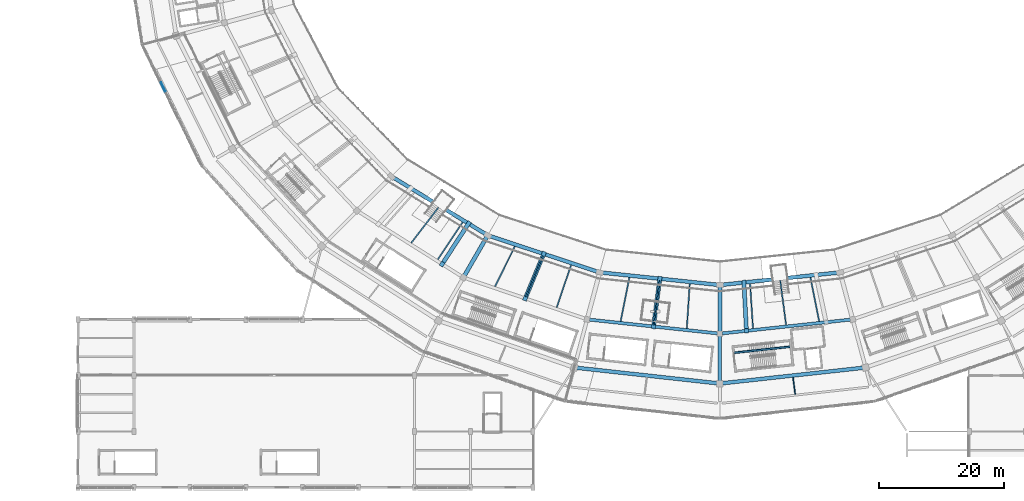
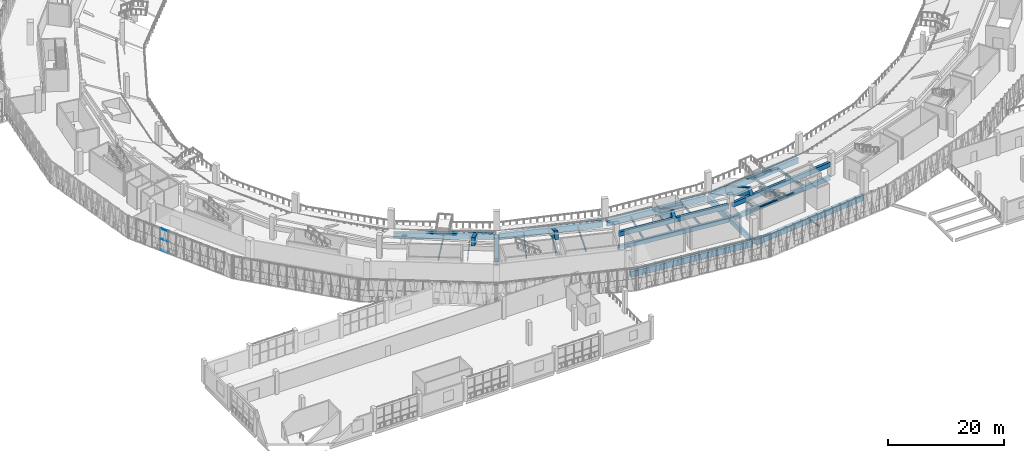
# One storey, part 17 of 152: 30 beams, 3 members, 1 element without a shape of its own.
"""IFC4 building model written with IfcOpenShell, lengths in metres."""

from ifc_helpers import new_model, si_unit, direction, frame, origin, origin_2d, place, context, subcontext, project, spatial, rectangle, i_section, extrude, material, material_profile, profile_set, type_object, element, aggregate, save


model = new_model("IFC4")

# Units and contexts
model_context = context("Model", 3, precision=1e-05, world=origin(), true_north=direction((0.0, 1.0)))
body_context = subcontext(model_context, "Body", "Model", "MODEL_VIEW")
ifc_project = project(units=[si_unit("LENGTHUNIT", "METRE"), si_unit("AREAUNIT", "SQUARE_METRE"), si_unit("VOLUMEUNIT", "CUBIC_METRE"), si_unit("PLANEANGLEUNIT", "RADIAN"), si_unit("MASSUNIT", "GRAM", prefix="KILO")], contexts=[model_context])

# Site, building, storey
site_placement = place(None, origin())
site = spatial("IfcSite", under=ifc_project, at=site_placement, CompositionType="ELEMENT")
building_placement = place(site_placement, origin())
building = spatial("IfcBuilding", under=site, at=building_placement, Name="Zevraka Park Crest Stadium", CompositionType="ELEMENT")
storey_placement = place(building_placement, frame((0.0, 0.0, 15.0)))
storey = spatial("IfcBuildingStorey", under=building, at=storey_placement, Name="L03", CompositionType="ELEMENT", Elevation=15.0)

# Beams
ifc_material_1 = material(Name="Concrete C40/50", Category="concrete")
ifc_material_profile_1 = material_profile(ifc_material_1, rectangle(XDim=0.64990234375, YDim=1.35009765625, at=origin_2d()), Name="RC 1350x650")
ifc_profile_set_1 = profile_set([ifc_material_profile_1], Name="Concrete C40/50")
beam_type_1 = type_object("IfcBeamType", Name="BG01", PredefinedType="BEAM", material=ifc_profile_set_1)
beam_1_placement = place(storey_placement, frame((74.60009765625, 40.2109375, -0.68505859375), z_axis=(-0.500041424909, -0.866001485781, 0.0), x_axis=(0.866001485781, -0.500041424909, 0.0)))
element("IfcBeam", 1, at=beam_1_placement, inside=storey, type_object=beam_type_1, Name="Radial Girder BG01 L03-BC-16", PredefinedType="BEAM", context=body_context, shape_type="SweptSolid", body=[
    extrude(rectangle(XDim=0.64990234375, YDim=1.35009765625, at=origin_2d()), origin(), (0.0, 0.0, 1.0), 7.19970703125),
])
beam_2_placement = place(storey_placement, frame((112.0, 32.199951171875, -0.68505859375), z_axis=(0.0, -1.0, 0.0), x_axis=(1.0, 0.0, 0.0)))
element("IfcBeam", 2, at=beam_2_placement, inside=storey, type_object=beam_type_1, Name="Radial Girder BG01 L03-BC-18", PredefinedType="BEAM", context=body_context, shape_type="SweptSolid", body=[
    extrude(rectangle(XDim=0.64990234375, YDim=1.35009765625, at=origin_2d()), origin(), (0.0, 0.0, 1.0), 7.199951171875),
])
ifc_material_2 = material(Name="Concrete C40/50", Category="concrete")
ifc_material_profile_2 = material_profile(ifc_material_2, rectangle(XDim=0.550048828125, YDim=1.10009765625, at=origin_2d()), Name="RC 1100x550")
ifc_profile_set_2 = profile_set([ifc_material_profile_2], Name="Concrete C40/50")
beam_type_2 = type_object("IfcBeamType", Name="BG02", PredefinedType="BEAM", material=ifc_profile_set_2)
beam_3_placement = place(storey_placement, frame((112.0, 24.39990234375, -0.56005859375), z_axis=(0.0, -1.0, 0.0), x_axis=(1.0, 0.0, 0.0)))
element("IfcBeam", 3, at=beam_3_placement, inside=storey, type_object=beam_type_2, Name="Radial Girder BG02 L03-CD-18", PredefinedType="BEAM", context=body_context, shape_type="SweptSolid", body=[
    extrude(rectangle(XDim=0.550048828125, YDim=1.10009765625, at=origin_2d()), origin(), (0.0, 0.0, 1.0), 7.39990234375),
])

# Curtain wall, members
ifc_material_3 = material(Name="Anodised architectural aluminium and laminated safety glass", Category="aluminium")
curtain_wall_type = type_object("IfcCurtainWallType", Name="CW12", PredefinedType="NOTDEFINED", material=ifc_material_3)
curtain_wall_placement = place(storey_placement, origin())
curtain_wall = element("IfcCurtainWall", 4, at=curtain_wall_placement, inside=storey, type_object=curtain_wall_type, Name="Unitised Ring Curtain Wall CW12 L03-13", PredefinedType="NOTDEFINED")
ifc_material_4 = material(Name="Anodised architectural aluminium", Category="aluminium")
ifc_material_profile_3 = material_profile(ifc_material_4, rectangle(XDim=0.14990234375, YDim=0.070068359375, at=origin_2d()), Name="ALU TRANSOM 150x70")
ifc_profile_set_3 = profile_set([ifc_material_profile_3], Name="Anodised architectural aluminium")
member_type = type_object("IfcMemberType", Name="CT03", PredefinedType="USERDEFINED", material=ifc_profile_set_3)
member_1_placement = place(storey_placement, frame((22.333251953125, 64.980712890625, 0.034912109375), z_axis=(0.440722911723, -0.897643200321, 0.0), x_axis=(0.897643200321, 0.440722911723, 0.0)))
member_1 = element("IfcMember", 5, at=member_1_placement, type_object=member_type, Name="CW12 transom 5.1", ObjectType="TRANSOM", PredefinedType="USERDEFINED", context=body_context, shape_type="SweptSolid", body=[
    extrude(rectangle(XDim=0.14990234375, YDim=0.070068359375, at=origin_2d()), origin(), (0.0, 0.0, 1.0), 1.582763671875),
])
member_2_placement = place(storey_placement, frame((22.333251953125, 64.980712890625, 2.39990234375), z_axis=(0.440722911723, -0.897643200321, 0.0), x_axis=(0.897643200321, 0.440722911723, 0.0)))
member_2 = element("IfcMember", 6, at=member_2_placement, type_object=member_type, Name="CW12 transom 5.2", ObjectType="TRANSOM", PredefinedType="USERDEFINED", context=body_context, shape_type="SweptSolid", body=[
    extrude(rectangle(XDim=0.14990234375, YDim=0.070068359375, at=origin_2d()), origin(), (0.0, 0.0, 1.0), 1.582763671875),
])
member_3_placement = place(storey_placement, frame((22.333251953125, 64.980712890625, 4.5048828125), z_axis=(0.440722911723, -0.897643200321, 0.0), x_axis=(0.897643200321, 0.440722911723, 0.0)))
member_3 = element("IfcMember", 7, at=member_3_placement, type_object=member_type, Name="CW12 transom 5.3", ObjectType="TRANSOM", PredefinedType="USERDEFINED", context=body_context, shape_type="SweptSolid", body=[
    extrude(rectangle(XDim=0.14990234375, YDim=0.070068359375, at=origin_2d()), origin(), (0.0, 0.0, 1.0), 1.582763671875),
])
aggregate(curtain_wall, [member_1, member_2, member_3])

# Beams
ifc_material_5 = material(Name="Concrete C40/50", Category="concrete")
ifc_material_profile_4 = material_profile(ifc_material_5, rectangle(XDim=0.60009765625, YDim=1.199951171875, at=origin_2d()), Name="RC 1200x600")
ifc_profile_set_4 = profile_set([ifc_material_profile_4], Name="Concrete C40/50")
beam_type_3 = type_object("IfcBeamType", Name="RB01", PredefinedType="BEAM", material=ifc_profile_set_4)
beam_4_placement = place(storey_placement, frame((59.64501953125, 49.72802734375, -0.610107421875), z_axis=(0.852632623571, -0.522510869956, 0.0), x_axis=(0.522510869956, 0.852632623571, 0.0)))
element("IfcBeam", 8, at=beam_4_placement, inside=storey, type_object=beam_type_3, Name="Ring Beam RB01 L03-B-15", PredefinedType="BEAM", context=body_context, shape_type="SweptSolid", body=[
    extrude(rectangle(XDim=0.60009765625, YDim=1.199951171875, at=origin_2d()), origin(), (0.0, 0.0, 1.0), 17.335693359375),
])
beam_5_placement = place(storey_placement, frame((75.111083984375, 40.35205078125, -0.610107421875), z_axis=(0.949383863235, -0.314118258349, 0.0), x_axis=(0.314118258349, 0.949383863235, 0.0)))
element("IfcBeam", 9, at=beam_5_placement, inside=storey, type_object=beam_type_3, Name="Ring Beam RB01 L03-B-16", PredefinedType="BEAM", context=body_context, shape_type="SweptSolid", body=[
    extrude(rectangle(XDim=0.60009765625, YDim=1.199951171875, at=origin_2d()), origin(), (0.0, 0.0, 1.0), 18.165283203125),
])
beam_6_placement = place(storey_placement, frame((93.095947265625, 34.487060546875, -0.610107421875), z_axis=(0.994522746434, -0.1045203656, 0.0), x_axis=(0.1045203656, 0.994522746434, 0.0)))
element("IfcBeam", 10, at=beam_6_placement, inside=storey, type_object=beam_type_3, Name="Ring Beam RB01 L03-B-17", PredefinedType="BEAM", context=body_context, shape_type="SweptSolid", body=[
    extrude(rectangle(XDim=0.60009765625, YDim=1.199951171875, at=origin_2d()), origin(), (0.0, 0.0, 1.0), 18.628173828125),
])
beam_7_placement = place(storey_placement, frame((89.007080078125, 19.22509765625, -0.610107421875), z_axis=(0.994021150509, -0.109187693174, 0.0), x_axis=(0.109187693174, 0.994021150509, 0.0)))
element("IfcBeam", 11, at=beam_7_placement, inside=storey, type_object=beam_type_3, Name="Ring Beam RB01 L03-D-17", PredefinedType="BEAM", context=body_context, shape_type="SweptSolid", body=[
    extrude(rectangle(XDim=0.60009765625, YDim=1.199951171875, at=origin_2d()), origin(), (0.0, 0.0, 1.0), 22.7509765625),
])
beam_8_placement = place(storey_placement, frame((112.3779296875, 32.5400390625, -0.610107421875), z_axis=(0.994522746434, 0.1045203656, 0.0), x_axis=(-0.1045203656, 0.994522746434, 0.0)))
element("IfcBeam", 12, at=beam_8_placement, inside=storey, type_object=beam_type_3, Name="Ring Beam RB01 L03-B-18", PredefinedType="BEAM", context=body_context, shape_type="SweptSolid", body=[
    extrude(rectangle(XDim=0.60009765625, YDim=1.199951171875, at=origin_2d()), origin(), (0.0, 0.0, 1.0), 18.628173828125),
])
beam_9_placement = place(storey_placement, frame((112.3779296875, 16.740966796875, -0.610107421875), z_axis=(0.994021150509, 0.109187693174, 0.0), x_axis=(-0.109187693174, 0.994021150509, 0.0)))
element("IfcBeam", 13, at=beam_9_placement, inside=storey, type_object=beam_type_3, Name="Ring Beam RB01 L03-D-18", PredefinedType="BEAM", context=body_context, shape_type="SweptSolid", body=[
    extrude(rectangle(XDim=0.60009765625, YDim=1.199951171875, at=origin_2d()), origin(), (0.0, 0.0, 1.0), 22.7509765625),
])
ifc_material_6 = material(Name="Concrete C40/50", Category="concrete")
ifc_material_profile_5 = material_profile(ifc_material_6, rectangle(XDim=0.5, YDim=0.949951171875, at=origin_2d()), Name="RC 950x500")
ifc_profile_set_5 = profile_set([ifc_material_profile_5], Name="Concrete C40/50")
beam_type_4 = type_object("IfcBeamType", Name="RB02", PredefinedType="BEAM", material=ifc_profile_set_5)
for number, where, z_axis, x_axis, name in (
    (14, (91.076904296875, 26.951904296875, -0.485107421875), (0.994259477334, -0.106995755668, 0.0), (0.106995755668, 0.994259477334, 0.0), "Ring Beam RB02 L03-C-17"),
    (15, (112.3779296875, 24.740966796875, -0.485107421875), (0.994259477334, 0.106995755668, 0.0), (-0.106995755668, 0.994259477334, 0.0), "Ring Beam RB02 L03-C-18"),
    (16, (91.076904296875, 26.951904296875, 2.375), (0.994259477334, -0.106995755668, 0.0), (0.106995755668, 0.994259477334, 0.0), "Upper Tier Head Raker Ring Beam RB02 17"),
    (17, (112.3779296875, 24.740966796875, 2.375), (0.994259477334, 0.106995755668, 0.0), (-0.106995755668, 0.994259477334, 0.0), "Upper Tier Head Raker Ring Beam RB02 18"),
):
    element("IfcBeam", number, at=place(storey_placement, frame(where, z_axis=z_axis, x_axis=x_axis)), inside=storey, type_object=beam_type_4, Name=name, PredefinedType="BEAM", context=body_context, shape_type="SweptSolid", body=[
        extrude(rectangle(XDim=0.5, YDim=0.949951171875, at=origin_2d()), origin(), (0.0, 0.0, 1.0), 20.663818359375),
    ])
ifc_material_7 = material(Name="Concrete C40/50", Category="concrete")
ifc_material_profile_6 = material_profile(ifc_material_7, rectangle(XDim=0.64990234375, YDim=1.5, at=origin_2d()), Name="RC 1500x650")
ifc_profile_set_6 = profile_set([ifc_material_profile_6], Name="Concrete C40/50")
beam_type_5 = type_object("IfcBeamType", Name="RK02", PredefinedType="BEAM", material=ifc_profile_set_6)
beam_10_placement = place(storey_placement, frame((71.6640625, 42.362060546875, -0.800048828125), z_axis=(-0.474054343078, -0.7304295529, 0.491675856698), x_axis=(0.838823786585, -0.544403026314, 0.0)))
element("IfcBeam", 18, at=beam_10_placement, inside=storey, type_object=beam_type_5, Name="Upper Bowl Main Raker Girder RK02 15-2", PredefinedType="BEAM", context=body_context, shape_type="SweptSolid", body=[
    extrude(rectangle(XDim=0.64990234375, YDim=1.5, at=origin_2d()), origin(), (0.0, 0.0, 1.0), 8.908447265625),
])
for number, where, z_axis, x_axis, name in (
    (19, (83.73388671875, 37.4990234375, -0.800048828125), (-0.333025449443, -0.803886737331, 0.492808445105), (0.92386138518, -0.38272724096, 0.0), "Upper Bowl Main Raker Girder RK02 16"),
    (20, (102.35888671875, 33.513916015625, -0.800048828125), (-0.113496981582, -0.862708905498, 0.492799938663), (0.991456874002, -0.130434914779, 0.0), "Upper Bowl Main Raker Girder RK02 17"),
):
    element("IfcBeam", number, at=place(storey_placement, frame(where, z_axis=z_axis, x_axis=x_axis)), inside=storey, type_object=beam_type_5, Name=name, PredefinedType="BEAM", context=body_context, shape_type="SweptSolid", body=[
        extrude(rectangle(XDim=0.64990234375, YDim=1.5, at=origin_2d()), origin(), (0.0, 0.0, 1.0), 8.88818359375),
    ])
beam_11_placement = place(storey_placement, frame((115.85595703125, 32.905029296875, -0.800048828125), z_axis=(0.045358905016, -0.869575431017, 0.491712456123), x_axis=(0.998642326128, 0.05209130893, 0.0)))
element("IfcBeam", 21, at=beam_11_placement, inside=storey, type_object=beam_type_5, Name="Upper Bowl Main Raker Girder RK02 18-1", PredefinedType="BEAM", context=body_context, shape_type="SweptSolid", body=[
    extrude(rectangle(XDim=0.64990234375, YDim=1.5, at=origin_2d()), origin(), (0.0, 0.0, 1.0), 8.907958984375),
])
ifc_material_8 = material(Name="Steel S355", Category="steel")
ifc_material_profile_7 = material_profile(ifc_material_8, i_section(OverallWidth=0.14990234375, OverallDepth=0.300048828125, WebThickness=0.007080078125, FlangeThickness=0.0107421875, at=origin_2d()), Name="IPE 300")
ifc_profile_set_7 = profile_set([ifc_material_profile_7], Name="Steel S355")
beam_type_6 = type_object("IfcBeamType", Name="SJ01", PredefinedType="JOIST", material=ifc_profile_set_7)
beam_12_placement = place(storey_placement, frame((123.72412109375, 17.69091796875, -0.4580078125), z_axis=(0.13058389889, -0.991437262438, 0.0), x_axis=(0.991437262438, 0.13058389889, 0.0)))
element("IfcBeam", 22, at=beam_12_placement, inside=storey, type_object=beam_type_6, Name="Floor Joist SJ01 L03-DE-18-1", PredefinedType="JOIST", context=body_context, shape_type="SweptSolid", body=[
    extrude(i_section(OverallWidth=0.14990234375, OverallDepth=0.300048828125, WebThickness=0.007080078125, FlangeThickness=0.0107421875, at=origin_2d()), origin(), (0.0, 0.0, 1.0), 2.7333984375),
])
ifc_material_9 = material(Name="Steel S355", Category="steel")
ifc_material_profile_8 = material_profile(ifc_material_9, i_section(OverallWidth=0.199951171875, OverallDepth=0.5, WebThickness=0.01025390625, FlangeThickness=0.01611328125, at=origin_2d()), Name="IPE 500")
ifc_profile_set_8 = profile_set([ifc_material_profile_8], Name="Steel S355")
beam_type_7 = type_object("IfcBeamType", Name="SJ10", PredefinedType="JOIST", material=ifc_profile_set_8)
beam_13_placement = place(storey_placement, frame((66.843994140625, 44.948974609375, -0.55810546875), z_axis=(-0.608774451346, -0.793343347731, 0.0), x_axis=(0.793343347731, -0.608774451346, 0.0)))
element("IfcBeam", 23, at=beam_13_placement, inside=storey, type_object=beam_type_7, Name="Floor Joist SJ10 L03-BC-15-2", PredefinedType="JOIST", context=body_context, shape_type="SweptSolid", body=[
    extrude(i_section(OverallWidth=0.199951171875, OverallDepth=0.5, WebThickness=0.01025390625, FlangeThickness=0.01611328125, at=origin_2d()), origin(), (0.0, 0.0, 1.0), 7.17333984375),
])
beam_14_placement = place(storey_placement, frame((70.718017578125, 42.572998046875, -0.55810546875), z_axis=(-0.555366097338, -0.831605975164, 0.0), x_axis=(0.831605975164, -0.555366097338, 0.0)))
element("IfcBeam", 24, at=beam_14_placement, inside=storey, type_object=beam_type_7, Name="Floor Joist SJ10 L03-BC-15-3", PredefinedType="JOIST", context=body_context, shape_type="SweptSolid", body=[
    extrude(i_section(OverallWidth=0.199951171875, OverallDepth=0.5, WebThickness=0.01025390625, FlangeThickness=0.01611328125, at=origin_2d()), origin(), (0.0, 0.0, 1.0), 7.189697265625),
])
beam_15_placement = place(storey_placement, frame((79.10302734375, 38.702880859375, -0.55810546875), z_axis=(-0.442549118131, -0.896744265686, 0.0), x_axis=(0.896744265686, -0.442549118131, 0.0)))
element("IfcBeam", 25, at=beam_15_placement, inside=storey, type_object=beam_type_7, Name="Floor Joist SJ10 L03-BC-16-1", PredefinedType="JOIST", context=body_context, shape_type="SweptSolid", body=[
    extrude(i_section(OverallWidth=0.199951171875, OverallDepth=0.5, WebThickness=0.01025390625, FlangeThickness=0.01611328125, at=origin_2d()), origin(), (0.0, 0.0, 1.0), 7.1904296875),
])
beam_16_placement = place(storey_placement, frame((83.613037109375, 37.2080078125, -0.55810546875), z_axis=(-0.382700487371, -0.923872467912, 0.0), x_axis=(0.923872467912, -0.382700487371, 0.0)))
element("IfcBeam", 26, at=beam_16_placement, inside=storey, type_object=beam_type_7, Name="Floor Joist SJ10 L03-BC-16-2", PredefinedType="JOIST", context=body_context, shape_type="SweptSolid", body=[
    extrude(i_section(OverallWidth=0.199951171875, OverallDepth=0.5, WebThickness=0.01025390625, FlangeThickness=0.01611328125, at=origin_2d()), origin(), (0.0, 0.0, 1.0), 7.173095703125),
])
beam_17_placement = place(storey_placement, frame((88.125, 35.715087890625, -0.55810546875), z_axis=(-0.321275682742, -0.946985710388, 0.0), x_axis=(0.946985710388, -0.321275682742, 0.0)))
element("IfcBeam", 27, at=beam_17_placement, inside=storey, type_object=beam_type_7, Name="Floor Joist SJ10 L03-BC-16-3", PredefinedType="JOIST", context=body_context, shape_type="SweptSolid", body=[
    extrude(i_section(OverallWidth=0.199951171875, OverallDepth=0.5, WebThickness=0.01025390625, FlangeThickness=0.01611328125, at=origin_2d()), origin(), (0.0, 0.0, 1.0), 7.190185546875),
])
beam_18_placement = place(storey_placement, frame((97.47705078125, 33.7109375, -0.55810546875), z_axis=(-0.195423881122, -0.980718872403, 0.0), x_axis=(0.980718872403, -0.195423881122, 0.0)))
element("IfcBeam", 28, at=beam_18_placement, inside=storey, type_object=beam_type_7, Name="Floor Joist SJ10 L03-BC-17-1", PredefinedType="JOIST", context=body_context, shape_type="SweptSolid", body=[
    extrude(i_section(OverallWidth=0.199951171875, OverallDepth=0.5, WebThickness=0.01025390625, FlangeThickness=0.01611328125, at=origin_2d()), origin(), (0.0, 0.0, 1.0), 7.189697265625),
])
beam_19_placement = place(storey_placement, frame((102.318115234375, 33.200927734375, -0.55810546875), z_axis=(-0.13062530986, -0.991431807248, 0.0), x_axis=(0.991431807248, -0.13062530986, 0.0)))
element("IfcBeam", 29, at=beam_19_placement, inside=storey, type_object=beam_type_7, Name="Floor Joist SJ10 L03-BC-17-2", PredefinedType="JOIST", context=body_context, shape_type="SweptSolid", body=[
    extrude(i_section(OverallWidth=0.199951171875, OverallDepth=0.5, WebThickness=0.01025390625, FlangeThickness=0.01611328125, at=origin_2d()), origin(), (0.0, 0.0, 1.0), 7.17333984375),
])
for number, where, z_axis, x_axis, name in (
    (30, (107.158935546875, 32.69189453125, -0.55810546875), (-0.06510119131, -0.997878667419, 0.0), (0.997878667419, -0.06510119131, 0.0), "Floor Joist SJ10 L03-BC-17-3"),
    (31, (116.841064453125, 32.69189453125, -0.55810546875), (0.06510119131, -0.997878667419, 0.0), (0.997878667419, 0.06510119131, 0.0), "Floor Joist SJ10 L03-BC-18-1"),
):
    element("IfcBeam", number, at=place(storey_placement, frame(where, z_axis=z_axis, x_axis=x_axis)), inside=storey, type_object=beam_type_7, Name=name, PredefinedType="JOIST", context=body_context, shape_type="SweptSolid", body=[
        extrude(i_section(OverallWidth=0.199951171875, OverallDepth=0.5, WebThickness=0.01025390625, FlangeThickness=0.01611328125, at=origin_2d()), origin(), (0.0, 0.0, 1.0), 7.18896484375),
    ])
beam_20_placement = place(storey_placement, frame((121.681884765625, 33.200927734375, -0.55810546875), z_axis=(0.13062530986, -0.991431807248, 0.0), x_axis=(0.991431807248, 0.13062530986, 0.0)))
element("IfcBeam", 32, at=beam_20_placement, inside=storey, type_object=beam_type_7, Name="Floor Joist SJ10 L03-BC-18-2", PredefinedType="JOIST", context=body_context, shape_type="SweptSolid", body=[
    extrude(i_section(OverallWidth=0.199951171875, OverallDepth=0.5, WebThickness=0.01025390625, FlangeThickness=0.01611328125, at=origin_2d()), origin(), (0.0, 0.0, 1.0), 7.17333984375),
])
beam_21_placement = place(storey_placement, frame((126.52294921875, 33.7109375, -0.55810546875), z_axis=(0.195423881122, -0.980718872403, 0.0), x_axis=(0.980718872403, 0.195423881122, 0.0)))
element("IfcBeam", 33, at=beam_21_placement, inside=storey, type_object=beam_type_7, Name="Floor Joist SJ10 L03-BC-18-3", PredefinedType="JOIST", context=body_context, shape_type="SweptSolid", body=[
    extrude(i_section(OverallWidth=0.199951171875, OverallDepth=0.5, WebThickness=0.01025390625, FlangeThickness=0.01611328125, at=origin_2d()), origin(), (0.0, 0.0, 1.0), 7.189697265625),
])
ifc_material_10 = material(Name="Concrete C40/50", Category="concrete")
ifc_material_profile_9 = material_profile(ifc_material_10, rectangle(XDim=0.280029296875, YDim=0.199951171875, at=origin_2d()), Name="RC 200x280")
ifc_profile_set_9 = profile_set([ifc_material_profile_9], Name="Concrete C40/50")
beam_type_8 = type_object("IfcBeamType", Name="SJ13", PredefinedType="JOIST", material=ifc_profile_set_9)
beam_22_placement = place(storey_placement, frame((114.22802734375, 21.62841796875, 2.300048828125), z_axis=(0.994127809114, 0.108212287404, 0.0), x_axis=(-0.108212287404, 0.994127809114, 0.0)))
element("IfcBeam", 34, at=beam_22_placement, inside=storey, type_object=beam_type_8, Name="Stair Upper-Flight Longitudinal Stringer SJ13 ST19-L03", PredefinedType="JOIST", context=body_context, shape_type="SweptSolid", body=[
    extrude(rectangle(XDim=0.280029296875, YDim=0.199951171875, at=origin_2d()), origin(), (0.0, 0.0, 1.0), 9.25),
])

save(model, "model.ifc")
